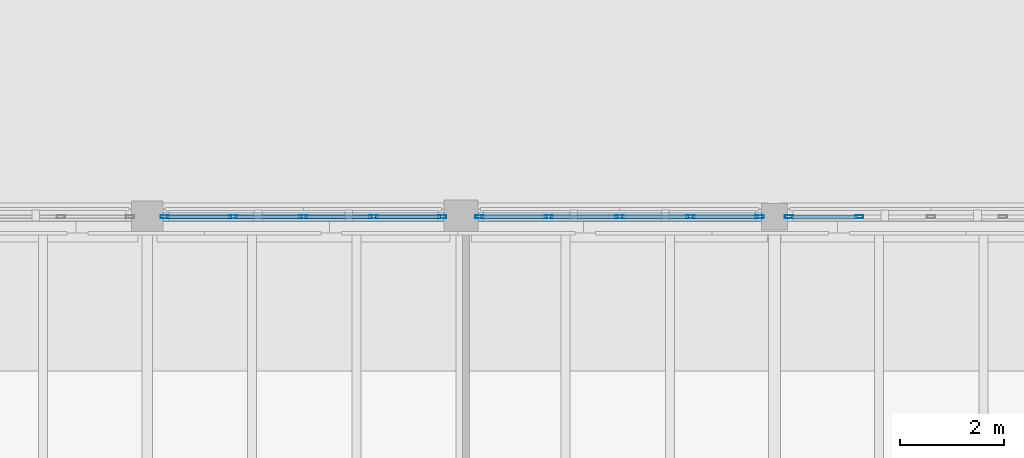
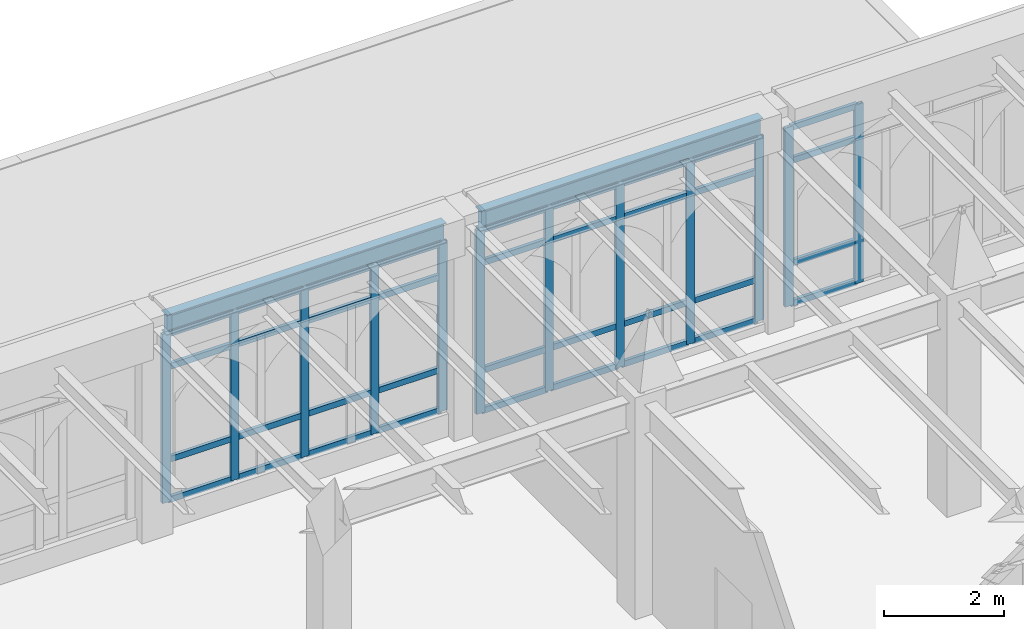
# One storey, part 77 of 143: 48 members, 2 beams, 3 elements without a shape of their own.
"""IFC4 building model written with IfcOpenShell, lengths in metres."""

from ifc_helpers import new_model, si_unit, direction, frame, origin, origin_2d, place, context, subcontext, project, spatial, hollow_rectangle, i_section, extrude, material, layer, layer_set, material_profile, profile_set, type_object, element, aggregate, save


model = new_model("IFC4")

# Units and contexts
model_context = context("Model", 3, precision=1e-05, world=origin(), true_north=direction((0.0, 1.0)))
body_context = subcontext(model_context, "Body", "Model", "MODEL_VIEW")
ifc_project = project(units=[si_unit("LENGTHUNIT", "METRE"), si_unit("AREAUNIT", "SQUARE_METRE"), si_unit("VOLUMEUNIT", "CUBIC_METRE"), si_unit("PLANEANGLEUNIT", "RADIAN"), si_unit("MASSUNIT", "GRAM", prefix="KILO")], contexts=[model_context])

# Site, building, storey
site_placement = place(None, origin())
site = spatial("IfcSite", under=ifc_project, at=site_placement, CompositionType="ELEMENT")
building_placement = place(site_placement, origin())
building = spatial("IfcBuilding", under=site, at=building_placement, Name="Cumevento Cable Car Station", CompositionType="ELEMENT")
storey_placement = place(building_placement, frame((0.0, 0.0, 9.0)))
storey = spatial("IfcBuildingStorey", under=building, at=storey_placement, Name="L03", CompositionType="ELEMENT", Elevation=9.0)

# Curtain wall, members
ifc_material_1 = material(Name="Anodised Bronze Aluminium AW-6063-T6", Category="aluminium")
ifc_layer_1 = layer(ifc_material_1, 0.196044921875)
ifc_layer_set_1 = layer_set([ifc_layer_1], Name="Anodised Bronze Aluminium AW-6063-T6")
curtain_wall_type_1 = type_object("IfcCurtainWallType", Name="Lancet Curtain Wall CW-07 1290", PredefinedType="NOTDEFINED", material=ifc_layer_set_1)
curtain_wall_1_placement = place(storey_placement, origin())
curtain_wall_1 = element("IfcCurtainWall", 1, at=curtain_wall_1_placement, inside=storey, type_object=curtain_wall_type_1, Name="Lancet Curtain Wall CW-07 L03 #134", PredefinedType="NOTDEFINED")
ifc_material_2 = material(Name="Anodised Bronze Aluminium AW-6063-T6", Category="aluminium")
ifc_material_profile_1 = material_profile(ifc_material_2, hollow_rectangle(XDim=0.06494140625, YDim=0.159912109375, WallThickness=0.00390625, at=origin_2d()), Name="ALUM65x160x4")
ifc_profile_set_1 = profile_set([ifc_material_profile_1], Name="Anodised Bronze Aluminium AW-6063-T6")
member_type_1 = type_object("IfcMemberType", Name="Curtain Mullion CWM-01 ALUM65x160x4", PredefinedType="MULLION", material=ifc_profile_set_1)
member_1_placement = place(storey_placement, frame((148.33251953125, 45.0, 0.4599609375), z_axis=(0.0, 0.0, 1.0), x_axis=(0.0, 1.0, 0.0)))
member_1 = element("IfcMember", 2, at=member_1_placement, type_object=member_type_1, Name="CW-07 mullion 1", PredefinedType="MULLION", context=body_context, shape_type="SweptSolid", body=[
    extrude(hollow_rectangle(XDim=0.06494140625, YDim=0.159912109375, WallThickness=0.00390625, at=origin_2d()), origin(), (0.0, 0.0, 1.0), 3.43310546875),
])
member_2_placement = place(storey_placement, frame((149.643798828125, 45.0, 0.4599609375), z_axis=(0.0, 0.0, 1.0), x_axis=(0.0, 1.0, 0.0)))
member_2 = element("IfcMember", 3, at=member_2_placement, type_object=member_type_1, Name="CW-07 mullion 2", PredefinedType="MULLION", context=body_context, shape_type="SweptSolid", body=[
    extrude(hollow_rectangle(XDim=0.06494140625, YDim=0.159912109375, WallThickness=0.00390625, at=origin_2d()), origin(), (0.0, 0.0, 1.0), 3.43310546875),
])
member_3_placement = place(storey_placement, frame((150.987548828125, 45.0, 0.4599609375), z_axis=(0.0, 0.0, 1.0), x_axis=(0.0, 1.0, 0.0)))
member_3 = element("IfcMember", 4, at=member_3_placement, type_object=member_type_1, Name="CW-07 mullion 3", PredefinedType="MULLION", context=body_context, shape_type="SweptSolid", body=[
    extrude(hollow_rectangle(XDim=0.06494140625, YDim=0.159912109375, WallThickness=0.00390625, at=origin_2d()), origin(), (0.0, 0.0, 1.0), 3.43310546875),
])
member_4_placement = place(storey_placement, frame((152.331298828125, 45.0, 0.4599609375), z_axis=(0.0, 0.0, 1.0), x_axis=(0.0, 1.0, 0.0)))
member_4 = element("IfcMember", 5, at=member_4_placement, type_object=member_type_1, Name="CW-07 mullion 4", PredefinedType="MULLION", context=body_context, shape_type="SweptSolid", body=[
    extrude(hollow_rectangle(XDim=0.06494140625, YDim=0.159912109375, WallThickness=0.00390625, at=origin_2d()), origin(), (0.0, 0.0, 1.0), 3.43310546875),
])
member_5_placement = place(storey_placement, frame((153.642578125, 45.0, 0.4599609375), z_axis=(0.0, 0.0, 1.0), x_axis=(0.0, 1.0, 0.0)))
member_5 = element("IfcMember", 6, at=member_5_placement, type_object=member_type_1, Name="CW-07 mullion 5", PredefinedType="MULLION", context=body_context, shape_type="SweptSolid", body=[
    extrude(hollow_rectangle(XDim=0.06494140625, YDim=0.159912109375, WallThickness=0.00390625, at=origin_2d()), origin(), (0.0, 0.0, 1.0), 3.43310546875),
])

ifc_material_3 = material(Name="Anodised Bronze Aluminium AW-6063-T6", Category="aluminium")
ifc_layer_2 = layer(ifc_material_3, 0.2080078125)
ifc_layer_set_2 = layer_set([ifc_layer_2], Name="Anodised Bronze Aluminium AW-6063-T6")
curtain_wall_type_2 = type_object("IfcCurtainWallType", Name="Lancet Curtain Wall CW-09 1370", PredefinedType="NOTDEFINED", material=ifc_layer_set_2)
curtain_wall_2_placement = place(storey_placement, origin())
curtain_wall_2 = element("IfcCurtainWall", 7, at=curtain_wall_2_placement, inside=storey, type_object=curtain_wall_type_2, Name="Lancet Curtain Wall CW-09 L03 #136", PredefinedType="NOTDEFINED")
member_6_placement = place(storey_placement, frame((154.357421875, 45.0, 0.159912109375), z_axis=(0.0, 0.0, 1.0), x_axis=(0.0, 1.0, 0.0)))
member_6 = element("IfcMember", 8, at=member_6_placement, type_object=member_type_1, Name="CW-09 mullion 1", PredefinedType="MULLION", context=body_context, shape_type="SweptSolid", body=[
    extrude(hollow_rectangle(XDim=0.06494140625, YDim=0.159912109375, WallThickness=0.00390625, at=origin_2d()), origin(), (0.0, 0.0, 1.0), 3.733154296875),
])
member_7_placement = place(storey_placement, frame((155.68115234375, 45.0, 0.159912109375), z_axis=(0.0, 0.0, 1.0), x_axis=(0.0, 1.0, 0.0)))
member_7 = element("IfcMember", 9, at=member_7_placement, type_object=member_type_1, Name="CW-09 mullion 2", PredefinedType="MULLION", context=body_context, shape_type="SweptSolid", body=[
    extrude(hollow_rectangle(XDim=0.06494140625, YDim=0.159912109375, WallThickness=0.00390625, at=origin_2d()), origin(), (0.0, 0.0, 1.0), 3.733154296875),
])
member_8_placement = place(storey_placement, frame((157.03759765625, 45.0, 0.159912109375), z_axis=(0.0, 0.0, 1.0), x_axis=(0.0, 1.0, 0.0)))
member_8 = element("IfcMember", 10, at=member_8_placement, type_object=member_type_1, Name="CW-09 mullion 3", PredefinedType="MULLION", context=body_context, shape_type="SweptSolid", body=[
    extrude(hollow_rectangle(XDim=0.06494140625, YDim=0.159912109375, WallThickness=0.00390625, at=origin_2d()), origin(), (0.0, 0.0, 1.0), 3.733154296875),
])
member_9_placement = place(storey_placement, frame((158.393798828125, 45.0, 0.159912109375), z_axis=(0.0, 0.0, 1.0), x_axis=(0.0, 1.0, 0.0)))
member_9 = element("IfcMember", 11, at=member_9_placement, type_object=member_type_1, Name="CW-09 mullion 4", PredefinedType="MULLION", context=body_context, shape_type="SweptSolid", body=[
    extrude(hollow_rectangle(XDim=0.06494140625, YDim=0.159912109375, WallThickness=0.00390625, at=origin_2d()), origin(), (0.0, 0.0, 1.0), 3.733154296875),
])
member_10_placement = place(storey_placement, frame((159.717529296875, 45.0, 0.159912109375), z_axis=(0.0, 0.0, 1.0), x_axis=(0.0, 1.0, 0.0)))
member_10 = element("IfcMember", 12, at=member_10_placement, type_object=member_type_1, Name="CW-09 mullion 5", PredefinedType="MULLION", context=body_context, shape_type="SweptSolid", body=[
    extrude(hollow_rectangle(XDim=0.06494140625, YDim=0.159912109375, WallThickness=0.00390625, at=origin_2d()), origin(), (0.0, 0.0, 1.0), 3.733154296875),
])

ifc_material_4 = material(Name="Anodised Bronze Aluminium AW-6063-T6", Category="aluminium")
ifc_layer_3 = layer(ifc_material_4, 0.219970703125)
ifc_layer_set_3 = layer_set([ifc_layer_3], Name="Anodised Bronze Aluminium AW-6063-T6")
curtain_wall_type_3 = type_object("IfcCurtainWallType", Name="Lancet Curtain Wall CW-11 1450", PredefinedType="NOTDEFINED", material=ifc_layer_set_3)
curtain_wall_3_placement = place(storey_placement, origin())
curtain_wall_3 = element("IfcCurtainWall", 13, at=curtain_wall_3_placement, inside=storey, type_object=curtain_wall_type_3, Name="Lancet Curtain Wall CW-11 L03 #138", PredefinedType="NOTDEFINED")
member_11_placement = place(storey_placement, frame((160.282470703125, 45.0, 0.260009765625), z_axis=(0.0, 0.0, 1.0), x_axis=(0.0, 1.0, 0.0)))
member_11 = element("IfcMember", 14, at=member_11_placement, type_object=member_type_1, Name="CW-11 mullion 1", PredefinedType="MULLION", context=body_context, shape_type="SweptSolid", body=[
    extrude(hollow_rectangle(XDim=0.06494140625, YDim=0.159912109375, WallThickness=0.00390625, at=origin_2d()), origin(), (0.0, 0.0, 1.0), 3.633056640625),
])
member_12_placement = place(storey_placement, frame((161.625, 45.0, 0.260009765625), z_axis=(0.0, 0.0, 1.0), x_axis=(0.0, 1.0, 0.0)))
member_12 = element("IfcMember", 15, at=member_12_placement, type_object=member_type_1, Name="CW-11 mullion 2", PredefinedType="MULLION", context=body_context, shape_type="SweptSolid", body=[
    extrude(hollow_rectangle(XDim=0.06494140625, YDim=0.159912109375, WallThickness=0.00390625, at=origin_2d()), origin(), (0.0, 0.0, 1.0), 3.633056640625),
])

# Member
ifc_material_5 = material(Name="Anodised Bronze Aluminium AW-6063-T6", Category="aluminium")
ifc_material_profile_2 = material_profile(ifc_material_5, hollow_rectangle(XDim=0.06494140625, YDim=0.1201171875, WallThickness=0.00390625, at=origin_2d()), Name="ALUT65x120x4")
ifc_profile_set_2 = profile_set([ifc_material_profile_2], Name="Anodised Bronze Aluminium AW-6063-T6")
member_type_2 = type_object("IfcMemberType", Name="Curtain Transom CWT-01 ALUT65x120x4", PredefinedType="USERDEFINED", material=ifc_profile_set_2)
member_13_placement = place(storey_placement, frame((148.364990234375, 45.0, 0.492431640625), z_axis=(1.0, 0.0, 0.0), x_axis=(0.0, 1.0, 0.0)))
member_13 = element("IfcMember", 16, at=member_13_placement, type_object=member_type_2, Name="CW-07 transom 1.1", ObjectType="TRANSOM", PredefinedType="USERDEFINED", context=body_context, shape_type="SweptSolid", body=[
    extrude(hollow_rectangle(XDim=0.06494140625, YDim=0.1201171875, WallThickness=0.00390625, at=origin_2d()), origin(), (0.0, 0.0, 1.0), 1.246337890625),
])

member_14_placement = place(storey_placement, frame((148.364990234375, 45.0, 1.31005859375), z_axis=(1.0, 0.0, 0.0), x_axis=(0.0, 1.0, 0.0)))
member_14 = element("IfcMember", 17, at=member_14_placement, type_object=member_type_2, Name="CW-07 transom 1.2", ObjectType="TRANSOM", PredefinedType="USERDEFINED", context=body_context, shape_type="SweptSolid", body=[
    extrude(hollow_rectangle(XDim=0.06494140625, YDim=0.1201171875, WallThickness=0.00390625, at=origin_2d()), origin(), (0.0, 0.0, 1.0), 1.246337890625),
])

member_15_placement = place(storey_placement, frame((148.364990234375, 45.0, 3.193115234375), z_axis=(1.0, 0.0, 0.0), x_axis=(0.0, 1.0, 0.0)))
member_15 = element("IfcMember", 18, at=member_15_placement, type_object=member_type_2, Name="CW-07 transom 1.3", ObjectType="TRANSOM", PredefinedType="USERDEFINED", context=body_context, shape_type="SweptSolid", body=[
    extrude(hollow_rectangle(XDim=0.06494140625, YDim=0.1201171875, WallThickness=0.00390625, at=origin_2d()), origin(), (0.0, 0.0, 1.0), 1.246337890625),
])

member_16_placement = place(storey_placement, frame((148.364990234375, 45.0, 3.860595703125), z_axis=(1.0, 0.0, 0.0), x_axis=(0.0, 1.0, 0.0)))
member_16 = element("IfcMember", 19, at=member_16_placement, type_object=member_type_2, Name="CW-07 transom 1.4", ObjectType="TRANSOM", PredefinedType="USERDEFINED", context=body_context, shape_type="SweptSolid", body=[
    extrude(hollow_rectangle(XDim=0.06494140625, YDim=0.1201171875, WallThickness=0.00390625, at=origin_2d()), origin(), (0.0, 0.0, 1.0), 1.246337890625),
])

member_17_placement = place(storey_placement, frame((149.67626953125, 45.0, 0.492431640625), z_axis=(1.0, 0.0, 0.0), x_axis=(0.0, 1.0, 0.0)))
member_17 = element("IfcMember", 20, at=member_17_placement, type_object=member_type_2, Name="CW-07 transom 2.1", ObjectType="TRANSOM", PredefinedType="USERDEFINED", context=body_context, shape_type="SweptSolid", body=[
    extrude(hollow_rectangle(XDim=0.06494140625, YDim=0.1201171875, WallThickness=0.00390625, at=origin_2d()), origin(), (0.0, 0.0, 1.0), 1.27880859375),
])

member_18_placement = place(storey_placement, frame((149.67626953125, 45.0, 1.31005859375), z_axis=(1.0, 0.0, 0.0), x_axis=(0.0, 1.0, 0.0)))
member_18 = element("IfcMember", 21, at=member_18_placement, type_object=member_type_2, Name="CW-07 transom 2.2", ObjectType="TRANSOM", PredefinedType="USERDEFINED", context=body_context, shape_type="SweptSolid", body=[
    extrude(hollow_rectangle(XDim=0.06494140625, YDim=0.1201171875, WallThickness=0.00390625, at=origin_2d()), origin(), (0.0, 0.0, 1.0), 1.27880859375),
])

member_19_placement = place(storey_placement, frame((149.67626953125, 45.0, 3.193115234375), z_axis=(1.0, 0.0, 0.0), x_axis=(0.0, 1.0, 0.0)))
member_19 = element("IfcMember", 22, at=member_19_placement, type_object=member_type_2, Name="CW-07 transom 2.3", ObjectType="TRANSOM", PredefinedType="USERDEFINED", context=body_context, shape_type="SweptSolid", body=[
    extrude(hollow_rectangle(XDim=0.06494140625, YDim=0.1201171875, WallThickness=0.00390625, at=origin_2d()), origin(), (0.0, 0.0, 1.0), 1.27880859375),
])

member_20_placement = place(storey_placement, frame((149.67626953125, 45.0, 3.860595703125), z_axis=(1.0, 0.0, 0.0), x_axis=(0.0, 1.0, 0.0)))
member_20 = element("IfcMember", 23, at=member_20_placement, type_object=member_type_2, Name="CW-07 transom 2.4", ObjectType="TRANSOM", PredefinedType="USERDEFINED", context=body_context, shape_type="SweptSolid", body=[
    extrude(hollow_rectangle(XDim=0.06494140625, YDim=0.1201171875, WallThickness=0.00390625, at=origin_2d()), origin(), (0.0, 0.0, 1.0), 1.27880859375),
])

member_21_placement = place(storey_placement, frame((151.02001953125, 45.0, 0.492431640625), z_axis=(1.0, 0.0, 0.0), x_axis=(0.0, 1.0, 0.0)))
member_21 = element("IfcMember", 24, at=member_21_placement, type_object=member_type_2, Name="CW-07 transom 3.1", ObjectType="TRANSOM", PredefinedType="USERDEFINED", context=body_context, shape_type="SweptSolid", body=[
    extrude(hollow_rectangle(XDim=0.06494140625, YDim=0.1201171875, WallThickness=0.00390625, at=origin_2d()), origin(), (0.0, 0.0, 1.0), 1.27880859375),
])

member_22_placement = place(storey_placement, frame((151.02001953125, 45.0, 1.31005859375), z_axis=(1.0, 0.0, 0.0), x_axis=(0.0, 1.0, 0.0)))
member_22 = element("IfcMember", 25, at=member_22_placement, type_object=member_type_2, Name="CW-07 transom 3.2", ObjectType="TRANSOM", PredefinedType="USERDEFINED", context=body_context, shape_type="SweptSolid", body=[
    extrude(hollow_rectangle(XDim=0.06494140625, YDim=0.1201171875, WallThickness=0.00390625, at=origin_2d()), origin(), (0.0, 0.0, 1.0), 1.27880859375),
])

member_23_placement = place(storey_placement, frame((151.02001953125, 45.0, 3.193115234375), z_axis=(1.0, 0.0, 0.0), x_axis=(0.0, 1.0, 0.0)))
member_23 = element("IfcMember", 26, at=member_23_placement, type_object=member_type_2, Name="CW-07 transom 3.3", ObjectType="TRANSOM", PredefinedType="USERDEFINED", context=body_context, shape_type="SweptSolid", body=[
    extrude(hollow_rectangle(XDim=0.06494140625, YDim=0.1201171875, WallThickness=0.00390625, at=origin_2d()), origin(), (0.0, 0.0, 1.0), 1.27880859375),
])

member_24_placement = place(storey_placement, frame((151.02001953125, 45.0, 3.860595703125), z_axis=(1.0, 0.0, 0.0), x_axis=(0.0, 1.0, 0.0)))
member_24 = element("IfcMember", 27, at=member_24_placement, type_object=member_type_2, Name="CW-07 transom 3.4", ObjectType="TRANSOM", PredefinedType="USERDEFINED", context=body_context, shape_type="SweptSolid", body=[
    extrude(hollow_rectangle(XDim=0.06494140625, YDim=0.1201171875, WallThickness=0.00390625, at=origin_2d()), origin(), (0.0, 0.0, 1.0), 1.27880859375),
])

member_25_placement = place(storey_placement, frame((152.36376953125, 45.0, 0.492431640625), z_axis=(1.0, 0.0, 0.0), x_axis=(0.0, 1.0, 0.0)))
member_25 = element("IfcMember", 28, at=member_25_placement, type_object=member_type_2, Name="CW-07 transom 4.1", ObjectType="TRANSOM", PredefinedType="USERDEFINED", context=body_context, shape_type="SweptSolid", body=[
    extrude(hollow_rectangle(XDim=0.06494140625, YDim=0.1201171875, WallThickness=0.00390625, at=origin_2d()), origin(), (0.0, 0.0, 1.0), 1.246337890625),
])

member_26_placement = place(storey_placement, frame((152.36376953125, 45.0, 1.31005859375), z_axis=(1.0, 0.0, 0.0), x_axis=(0.0, 1.0, 0.0)))
member_26 = element("IfcMember", 29, at=member_26_placement, type_object=member_type_2, Name="CW-07 transom 4.2", ObjectType="TRANSOM", PredefinedType="USERDEFINED", context=body_context, shape_type="SweptSolid", body=[
    extrude(hollow_rectangle(XDim=0.06494140625, YDim=0.1201171875, WallThickness=0.00390625, at=origin_2d()), origin(), (0.0, 0.0, 1.0), 1.246337890625),
])

member_27_placement = place(storey_placement, frame((152.36376953125, 45.0, 3.193115234375), z_axis=(1.0, 0.0, 0.0), x_axis=(0.0, 1.0, 0.0)))
member_27 = element("IfcMember", 30, at=member_27_placement, type_object=member_type_2, Name="CW-07 transom 4.3", ObjectType="TRANSOM", PredefinedType="USERDEFINED", context=body_context, shape_type="SweptSolid", body=[
    extrude(hollow_rectangle(XDim=0.06494140625, YDim=0.1201171875, WallThickness=0.00390625, at=origin_2d()), origin(), (0.0, 0.0, 1.0), 1.246337890625),
])

member_28_placement = place(storey_placement, frame((152.36376953125, 45.0, 3.860595703125), z_axis=(1.0, 0.0, 0.0), x_axis=(0.0, 1.0, 0.0)))
member_28 = element("IfcMember", 31, at=member_28_placement, type_object=member_type_2, Name="CW-07 transom 4.4", ObjectType="TRANSOM", PredefinedType="USERDEFINED", context=body_context, shape_type="SweptSolid", body=[
    extrude(hollow_rectangle(XDim=0.06494140625, YDim=0.1201171875, WallThickness=0.00390625, at=origin_2d()), origin(), (0.0, 0.0, 1.0), 1.246337890625),
])

aggregate(curtain_wall_1, [member_1, member_2, member_3, member_4, member_5, member_13, member_14, member_15, member_16, member_17, member_18, member_19, member_20, member_21, member_22, member_23, member_24, member_25, member_26, member_27, member_28])

member_29_placement = place(storey_placement, frame((154.389892578125, 45.0, 0.1923828125), z_axis=(1.0, 0.0, 0.0), x_axis=(0.0, 1.0, 0.0)))
member_29 = element("IfcMember", 32, at=member_29_placement, type_object=member_type_2, Name="CW-09 transom 1.1", ObjectType="TRANSOM", PredefinedType="USERDEFINED", context=body_context, shape_type="SweptSolid", body=[
    extrude(hollow_rectangle(XDim=0.06494140625, YDim=0.1201171875, WallThickness=0.00390625, at=origin_2d()), origin(), (0.0, 0.0, 1.0), 1.2587890625),
])

member_30_placement = place(storey_placement, frame((154.389892578125, 45.0, 1.010009765625), z_axis=(1.0, 0.0, 0.0), x_axis=(0.0, 1.0, 0.0)))
member_30 = element("IfcMember", 33, at=member_30_placement, type_object=member_type_2, Name="CW-09 transom 1.2", ObjectType="TRANSOM", PredefinedType="USERDEFINED", context=body_context, shape_type="SweptSolid", body=[
    extrude(hollow_rectangle(XDim=0.06494140625, YDim=0.1201171875, WallThickness=0.00390625, at=origin_2d()), origin(), (0.0, 0.0, 1.0), 1.2587890625),
])

member_31_placement = place(storey_placement, frame((154.389892578125, 45.0, 3.193115234375), z_axis=(1.0, 0.0, 0.0), x_axis=(0.0, 1.0, 0.0)))
member_31 = element("IfcMember", 34, at=member_31_placement, type_object=member_type_2, Name="CW-09 transom 1.3", ObjectType="TRANSOM", PredefinedType="USERDEFINED", context=body_context, shape_type="SweptSolid", body=[
    extrude(hollow_rectangle(XDim=0.06494140625, YDim=0.1201171875, WallThickness=0.00390625, at=origin_2d()), origin(), (0.0, 0.0, 1.0), 1.2587890625),
])

member_32_placement = place(storey_placement, frame((154.389892578125, 45.0, 3.860595703125), z_axis=(1.0, 0.0, 0.0), x_axis=(0.0, 1.0, 0.0)))
member_32 = element("IfcMember", 35, at=member_32_placement, type_object=member_type_2, Name="CW-09 transom 1.4", ObjectType="TRANSOM", PredefinedType="USERDEFINED", context=body_context, shape_type="SweptSolid", body=[
    extrude(hollow_rectangle(XDim=0.06494140625, YDim=0.1201171875, WallThickness=0.00390625, at=origin_2d()), origin(), (0.0, 0.0, 1.0), 1.2587890625),
])

member_33_placement = place(storey_placement, frame((155.7138671875, 45.0, 0.1923828125), z_axis=(1.0, 0.0, 0.0), x_axis=(0.0, 1.0, 0.0)))
member_33 = element("IfcMember", 36, at=member_33_placement, type_object=member_type_2, Name="CW-09 transom 2.1", ObjectType="TRANSOM", PredefinedType="USERDEFINED", context=body_context, shape_type="SweptSolid", body=[
    extrude(hollow_rectangle(XDim=0.06494140625, YDim=0.1201171875, WallThickness=0.00390625, at=origin_2d()), origin(), (0.0, 0.0, 1.0), 1.291015625),
])

member_34_placement = place(storey_placement, frame((155.7138671875, 45.0, 1.010009765625), z_axis=(1.0, 0.0, 0.0), x_axis=(0.0, 1.0, 0.0)))
member_34 = element("IfcMember", 37, at=member_34_placement, type_object=member_type_2, Name="CW-09 transom 2.2", ObjectType="TRANSOM", PredefinedType="USERDEFINED", context=body_context, shape_type="SweptSolid", body=[
    extrude(hollow_rectangle(XDim=0.06494140625, YDim=0.1201171875, WallThickness=0.00390625, at=origin_2d()), origin(), (0.0, 0.0, 1.0), 1.291015625),
])

member_35_placement = place(storey_placement, frame((155.7138671875, 45.0, 3.193115234375), z_axis=(1.0, 0.0, 0.0), x_axis=(0.0, 1.0, 0.0)))
member_35 = element("IfcMember", 38, at=member_35_placement, type_object=member_type_2, Name="CW-09 transom 2.3", ObjectType="TRANSOM", PredefinedType="USERDEFINED", context=body_context, shape_type="SweptSolid", body=[
    extrude(hollow_rectangle(XDim=0.06494140625, YDim=0.1201171875, WallThickness=0.00390625, at=origin_2d()), origin(), (0.0, 0.0, 1.0), 1.291015625),
])

member_36_placement = place(storey_placement, frame((155.7138671875, 45.0, 3.860595703125), z_axis=(1.0, 0.0, 0.0), x_axis=(0.0, 1.0, 0.0)))
member_36 = element("IfcMember", 39, at=member_36_placement, type_object=member_type_2, Name="CW-09 transom 2.4", ObjectType="TRANSOM", PredefinedType="USERDEFINED", context=body_context, shape_type="SweptSolid", body=[
    extrude(hollow_rectangle(XDim=0.06494140625, YDim=0.1201171875, WallThickness=0.00390625, at=origin_2d()), origin(), (0.0, 0.0, 1.0), 1.291015625),
])

member_37_placement = place(storey_placement, frame((157.070068359375, 45.0, 0.1923828125), z_axis=(1.0, 0.0, 0.0), x_axis=(0.0, 1.0, 0.0)))
member_37 = element("IfcMember", 40, at=member_37_placement, type_object=member_type_2, Name="CW-09 transom 3.1", ObjectType="TRANSOM", PredefinedType="USERDEFINED", context=body_context, shape_type="SweptSolid", body=[
    extrude(hollow_rectangle(XDim=0.06494140625, YDim=0.1201171875, WallThickness=0.00390625, at=origin_2d()), origin(), (0.0, 0.0, 1.0), 1.291259765625),
])

member_38_placement = place(storey_placement, frame((157.070068359375, 45.0, 1.010009765625), z_axis=(1.0, 0.0, 0.0), x_axis=(0.0, 1.0, 0.0)))
member_38 = element("IfcMember", 41, at=member_38_placement, type_object=member_type_2, Name="CW-09 transom 3.2", ObjectType="TRANSOM", PredefinedType="USERDEFINED", context=body_context, shape_type="SweptSolid", body=[
    extrude(hollow_rectangle(XDim=0.06494140625, YDim=0.1201171875, WallThickness=0.00390625, at=origin_2d()), origin(), (0.0, 0.0, 1.0), 1.291259765625),
])

member_39_placement = place(storey_placement, frame((157.070068359375, 45.0, 3.193115234375), z_axis=(1.0, 0.0, 0.0), x_axis=(0.0, 1.0, 0.0)))
member_39 = element("IfcMember", 42, at=member_39_placement, type_object=member_type_2, Name="CW-09 transom 3.3", ObjectType="TRANSOM", PredefinedType="USERDEFINED", context=body_context, shape_type="SweptSolid", body=[
    extrude(hollow_rectangle(XDim=0.06494140625, YDim=0.1201171875, WallThickness=0.00390625, at=origin_2d()), origin(), (0.0, 0.0, 1.0), 1.291259765625),
])

member_40_placement = place(storey_placement, frame((157.070068359375, 45.0, 3.860595703125), z_axis=(1.0, 0.0, 0.0), x_axis=(0.0, 1.0, 0.0)))
member_40 = element("IfcMember", 43, at=member_40_placement, type_object=member_type_2, Name="CW-09 transom 3.4", ObjectType="TRANSOM", PredefinedType="USERDEFINED", context=body_context, shape_type="SweptSolid", body=[
    extrude(hollow_rectangle(XDim=0.06494140625, YDim=0.1201171875, WallThickness=0.00390625, at=origin_2d()), origin(), (0.0, 0.0, 1.0), 1.291259765625),
])

member_41_placement = place(storey_placement, frame((158.42626953125, 45.0, 0.1923828125), z_axis=(1.0, 0.0, 0.0), x_axis=(0.0, 1.0, 0.0)))
member_41 = element("IfcMember", 44, at=member_41_placement, type_object=member_type_2, Name="CW-09 transom 4.1", ObjectType="TRANSOM", PredefinedType="USERDEFINED", context=body_context, shape_type="SweptSolid", body=[
    extrude(hollow_rectangle(XDim=0.06494140625, YDim=0.1201171875, WallThickness=0.00390625, at=origin_2d()), origin(), (0.0, 0.0, 1.0), 1.2587890625),
])

member_42_placement = place(storey_placement, frame((158.42626953125, 45.0, 1.010009765625), z_axis=(1.0, 0.0, 0.0), x_axis=(0.0, 1.0, 0.0)))
member_42 = element("IfcMember", 45, at=member_42_placement, type_object=member_type_2, Name="CW-09 transom 4.2", ObjectType="TRANSOM", PredefinedType="USERDEFINED", context=body_context, shape_type="SweptSolid", body=[
    extrude(hollow_rectangle(XDim=0.06494140625, YDim=0.1201171875, WallThickness=0.00390625, at=origin_2d()), origin(), (0.0, 0.0, 1.0), 1.2587890625),
])

member_43_placement = place(storey_placement, frame((158.42626953125, 45.0, 3.193115234375), z_axis=(1.0, 0.0, 0.0), x_axis=(0.0, 1.0, 0.0)))
member_43 = element("IfcMember", 46, at=member_43_placement, type_object=member_type_2, Name="CW-09 transom 4.3", ObjectType="TRANSOM", PredefinedType="USERDEFINED", context=body_context, shape_type="SweptSolid", body=[
    extrude(hollow_rectangle(XDim=0.06494140625, YDim=0.1201171875, WallThickness=0.00390625, at=origin_2d()), origin(), (0.0, 0.0, 1.0), 1.2587890625),
])

member_44_placement = place(storey_placement, frame((158.42626953125, 45.0, 3.860595703125), z_axis=(1.0, 0.0, 0.0), x_axis=(0.0, 1.0, 0.0)))
member_44 = element("IfcMember", 47, at=member_44_placement, type_object=member_type_2, Name="CW-09 transom 4.4", ObjectType="TRANSOM", PredefinedType="USERDEFINED", context=body_context, shape_type="SweptSolid", body=[
    extrude(hollow_rectangle(XDim=0.06494140625, YDim=0.1201171875, WallThickness=0.00390625, at=origin_2d()), origin(), (0.0, 0.0, 1.0), 1.2587890625),
])

aggregate(curtain_wall_2, [member_6, member_7, member_8, member_9, member_10, member_29, member_30, member_31, member_32, member_33, member_34, member_35, member_36, member_37, member_38, member_39, member_40, member_41, member_42, member_43, member_44])

member_45_placement = place(storey_placement, frame((160.31494140625, 45.0, 0.29248046875), z_axis=(1.0, 0.0, 0.0), x_axis=(0.0, 1.0, 0.0)))
member_45 = element("IfcMember", 48, at=member_45_placement, type_object=member_type_2, Name="CW-11 transom 1.1", ObjectType="TRANSOM", PredefinedType="USERDEFINED", context=body_context, shape_type="SweptSolid", body=[
    extrude(hollow_rectangle(XDim=0.06494140625, YDim=0.1201171875, WallThickness=0.00390625, at=origin_2d()), origin(), (0.0, 0.0, 1.0), 1.277587890625),
])

member_46_placement = place(storey_placement, frame((160.31494140625, 45.0, 1.110107421875), z_axis=(1.0, 0.0, 0.0), x_axis=(0.0, 1.0, 0.0)))
member_46 = element("IfcMember", 49, at=member_46_placement, type_object=member_type_2, Name="CW-11 transom 1.2", ObjectType="TRANSOM", PredefinedType="USERDEFINED", context=body_context, shape_type="SweptSolid", body=[
    extrude(hollow_rectangle(XDim=0.06494140625, YDim=0.1201171875, WallThickness=0.00390625, at=origin_2d()), origin(), (0.0, 0.0, 1.0), 1.277587890625),
])

member_47_placement = place(storey_placement, frame((160.31494140625, 45.0, 3.193115234375), z_axis=(1.0, 0.0, 0.0), x_axis=(0.0, 1.0, 0.0)))
member_47 = element("IfcMember", 50, at=member_47_placement, type_object=member_type_2, Name="CW-11 transom 1.3", ObjectType="TRANSOM", PredefinedType="USERDEFINED", context=body_context, shape_type="SweptSolid", body=[
    extrude(hollow_rectangle(XDim=0.06494140625, YDim=0.1201171875, WallThickness=0.00390625, at=origin_2d()), origin(), (0.0, 0.0, 1.0), 1.277587890625),
])

member_48_placement = place(storey_placement, frame((160.31494140625, 45.0, 3.860595703125), z_axis=(1.0, 0.0, 0.0), x_axis=(0.0, 1.0, 0.0)))
member_48 = element("IfcMember", 51, at=member_48_placement, type_object=member_type_2, Name="CW-11 transom 1.4", ObjectType="TRANSOM", PredefinedType="USERDEFINED", context=body_context, shape_type="SweptSolid", body=[
    extrude(hollow_rectangle(XDim=0.06494140625, YDim=0.1201171875, WallThickness=0.00390625, at=origin_2d()), origin(), (0.0, 0.0, 1.0), 1.277587890625),
])

aggregate(curtain_wall_3, [member_11, member_12, member_45, member_46, member_47, member_48])

# Beams
ifc_material_6 = material(Name="Steel ASTM A572 Grade 50", Category="steel")
ifc_material_profile_3 = material_profile(ifc_material_6, i_section(OverallWidth=0.177978515625, OverallDepth=0.406982421875, WebThickness=0.0078125, FlangeThickness=0.0126953125, at=origin_2d()), Name="W410x60.0")
ifc_profile_set_3 = profile_set([ifc_material_profile_3], Name="Steel ASTM A572 Grade 50")
beam_type = type_object("IfcBeamType", Name="Structural Spandrel SP-01 W410x60.0", PredefinedType="SPANDREL", material=ifc_profile_set_3)
beam_1_placement = place(storey_placement, frame((148.300048828125, 45.0, 4.096435546875), z_axis=(1.0, 0.0, 0.0), x_axis=(0.0, 1.0, 0.0)))
element("IfcBeam", 52, at=beam_1_placement, inside=storey, type_object=beam_type, Name="Beam SP-01 L03 #1176", PredefinedType="SPANDREL", context=body_context, shape_type="SweptSolid", body=[
    extrude(i_section(OverallWidth=0.177978515625, OverallDepth=0.406982421875, WebThickness=0.0078125, FlangeThickness=0.0126953125, at=origin_2d()), origin(), (0.0, 0.0, 1.0), 5.375),
])
beam_2_placement = place(storey_placement, frame((154.324951171875, 45.0, 4.096435546875), z_axis=(1.0, 0.0, 0.0), x_axis=(0.0, 1.0, 0.0)))
element("IfcBeam", 53, at=beam_2_placement, inside=storey, type_object=beam_type, Name="Beam SP-01 L03 #1177", PredefinedType="SPANDREL", context=body_context, shape_type="SweptSolid", body=[
    extrude(i_section(OverallWidth=0.177978515625, OverallDepth=0.406982421875, WebThickness=0.0078125, FlangeThickness=0.0126953125, at=origin_2d()), origin(), (0.0, 0.0, 1.0), 5.425048828125),
])

save(model, "model.ifc")
